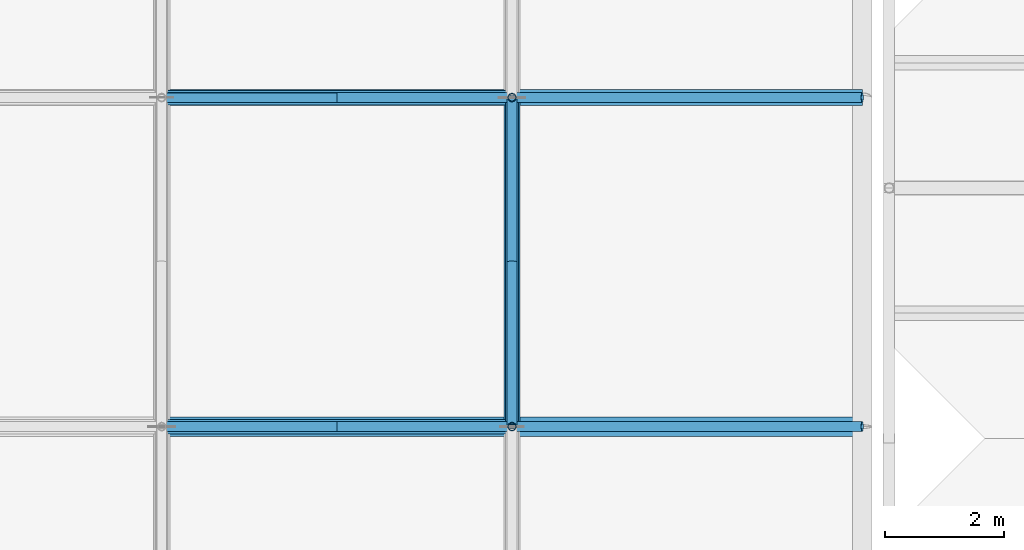
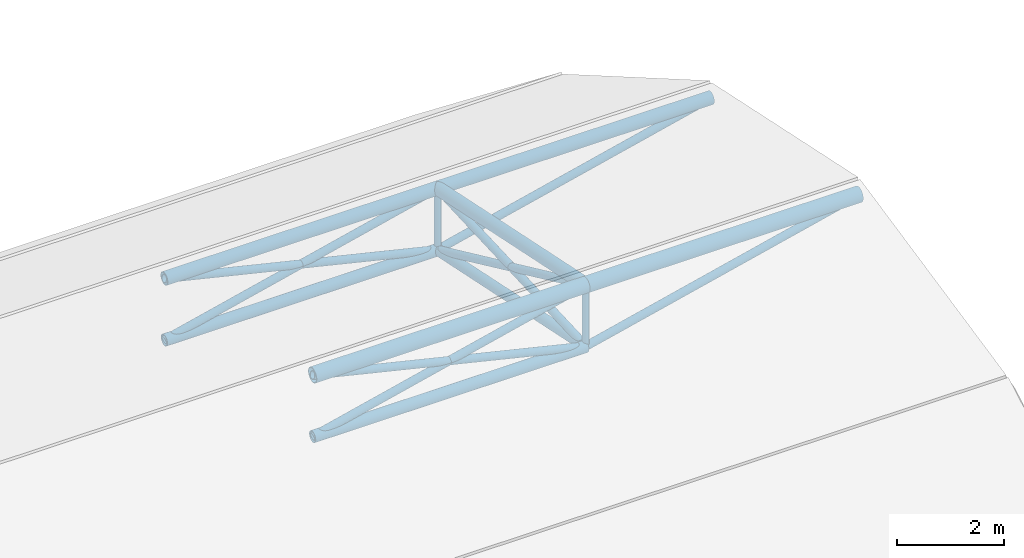
# One storey, part 12 of 82: 18 members.
"""IFC4 building model written with IfcOpenShell, lengths in metres."""

import ifcopenshell
import ifcopenshell.guid

model = None  # the IFC model being written
_history = None  # IfcOwnerHistory: only IFC2X3 demands one
_inside = {}  # id of a spatial element -> (the spatial element, [elements in it])
_under = {}  # id of a project, library or spatial element -> (it, [spatial elements below it])
_declared = {}  # id of a project -> (the project, [libraries it declares])
_typed = {}  # id of a type object -> (the type object, [elements of that type])
_made_of = {}  # id of a material, layer set ... -> (it, [elements and type objects made of it])


def new_model(schema):
    """Start an empty IFC model of exactly this schema.

    Asked for "IFC4X3", IfcOpenShell would pick the latest addendum, in which some entities
    have other attributes; the version numbers below select the first issue.
    IFC2X3 requires an IfcOwnerHistory on every rooted entity: one is made here for all.
    """
    global model, _history
    if schema == "IFC4X3":
        model = ifcopenshell.file(schema_version=(4, 3, 0, 0))
    else:
        model = ifcopenshell.file(schema=schema)
    _inside.clear()
    _under.clear()
    _declared.clear()
    _typed.clear()
    _made_of.clear()
    _history = None
    if model.schema == "IFC2X3":
        org = make("IfcOrganization", Name="unknown")
        user = make(
            "IfcPersonAndOrganization",
            ThePerson=make("IfcPerson", FamilyName="unknown"),
            TheOrganization=org,
        )
        app = make(
            "IfcApplication",
            ApplicationDeveloper=org,
            Version="unknown",
            ApplicationFullName="unknown",
            ApplicationIdentifier="unknown",
        )
        _history = make(
            "IfcOwnerHistory",
            OwningUser=user,
            OwningApplication=app,
            ChangeAction="ADDED",
            CreationDate=0,
        )
    return model


def make(cls, **values):
    """One entity of the class cls with the attributes given. An attribute that is None is left unset."""
    return model.create_entity(
        cls, **{name: value for name, value in values.items() if value is not None}
    )


def rooted(cls, **values):
    """An entity with a GlobalId (a new one), such as an element, a storey or a relation."""
    return make(cls, GlobalId=ifcopenshell.guid.new(), OwnerHistory=_history, **values)


def si_unit(unit_type, name, prefix=None):
    """IfcSIUnit, for example si_unit("LENGTHUNIT", "METRE", prefix="MILLI")."""
    return make("IfcSIUnit", UnitType=unit_type, Prefix=prefix, Name=name)


def assignment(units):
    """IfcUnitAssignment: the units of a project."""
    return None if units is None else make("IfcUnitAssignment", Units=units)


def point(xyz):
    """IfcCartesianPoint."""
    return None if xyz is None else make("IfcCartesianPoint", Coordinates=xyz)


def direction(xyz):
    """IfcDirection."""
    return None if xyz is None else make("IfcDirection", DirectionRatios=xyz)


def frame(location, z_axis=None, x_axis=None):
    """IfcAxis2Placement3D, a coordinate frame: its origin and axes. An axis left out is left unset."""
    return make(
        "IfcAxis2Placement3D",
        Location=point(location),
        Axis=direction(z_axis),
        RefDirection=direction(x_axis),
    )


def frame_2d(location, x_axis=None):
    """IfcAxis2Placement2D, a coordinate frame in the plane: its origin and x axis."""
    return make(
        "IfcAxis2Placement2D", Location=point(location), RefDirection=direction(x_axis)
    )


def origin():
    """The frame at (0, 0, 0) with its axes left unset."""
    return frame((0.0, 0.0, 0.0))


def origin_2d():
    """The frame at (0, 0) in the plane with its x axis left unset."""
    return frame_2d((0.0, 0.0))


def place(relative_to, where):
    """IfcLocalPlacement: puts the frame where relative to a parent placement (None: the world)."""
    return make(
        "IfcLocalPlacement", PlacementRelTo=relative_to, RelativePlacement=where
    )


def context(
    kind, dimensions, precision=None, world=None, true_north=None, identifier=None
):
    """IfcGeometricRepresentationContext, for example the 3D "Model" context."""
    return make(
        "IfcGeometricRepresentationContext",
        ContextIdentifier=identifier,
        ContextType=kind,
        CoordinateSpaceDimension=dimensions,
        Precision=precision,
        WorldCoordinateSystem=world,
        TrueNorth=true_north,
    )


def subcontext(parent, identifier, kind, view, scale=None):
    """IfcGeometricRepresentationSubContext, for example "Body" below "Model"."""
    return make(
        "IfcGeometricRepresentationSubContext",
        ContextIdentifier=identifier,
        ContextType=kind,
        ParentContext=parent,
        TargetScale=scale,
        TargetView=view,
    )


def project(units=None, contexts=None):
    """IfcProject with its units and contexts."""
    return rooted(
        "IfcProject",
        Name="project",
        RepresentationContexts=contexts,
        UnitsInContext=assignment(units),
    )


def spatial(cls, under=None, at=None, **own):
    """A site, building, storey or space (cls), placed at a placement, below another one or the project."""
    s = rooted(cls, ObjectPlacement=at, **own)
    if under is not None:
        _under.setdefault(under.id(), (under, []))[1].append(s)
    return s


def profile(cls, at=None, kind="AREA", **sizes):
    """A parametric profile (cls). Its sizes go by their IFC names, for example OverallWidth=200.0."""
    return make(cls, ProfileType=kind, Position=at, **sizes)


def hollow_circle(**sizes):
    """IfcCircleHollowProfileDef."""
    return profile("IfcCircleHollowProfileDef", **sizes)


def extrude(swept, where, along, depth):
    """IfcExtrudedAreaSolid: the profile swept, set in the frame where, extruded along a direction by depth."""
    return make(
        "IfcExtrudedAreaSolid",
        SweptArea=swept,
        Position=where,
        ExtrudedDirection=direction(along),
        Depth=depth,
    )


def shape(context_of_items, identifier, shape_type, items):
    """IfcShapeRepresentation: the items that make up one representation, for example the "Body"."""
    return make(
        "IfcShapeRepresentation",
        ContextOfItems=context_of_items,
        RepresentationIdentifier=identifier,
        RepresentationType=shape_type,
        Items=items,
    )


def material(Name=None, Category=None):
    """IfcMaterial."""
    return make("IfcMaterial", Name=Name, Category=Category)


def material_profile(
    of_material, cross_section, Name=None, Category=None, Priority=None
):
    """IfcMaterialProfile: a cross section and its material."""
    return make(
        "IfcMaterialProfile",
        Name=Name,
        Material=of_material,
        Profile=cross_section,
        Priority=Priority,
        Category=Category,
    )


def profile_set(profiles, Name=None, composite=None):
    """IfcMaterialProfileSet."""
    return make(
        "IfcMaterialProfileSet",
        Name=Name,
        MaterialProfiles=profiles,
        CompositeProfile=composite,
    )


def made_of(thing, what):
    """Note that an element or type object is made of a material, layer set ...; save() writes the relation."""
    if what is not None:
        _made_of.setdefault(what.id(), (what, []))[1].append(thing)
    return thing


def type_object(cls, material=None, **own):
    """A type object (cls), such as IfcWallType, which elements share."""
    return made_of(rooted(cls, **own), material)


def element(
    cls,
    number,
    at=None,
    inside=None,
    cuts=None,
    type_object=None,
    material=None,
    context=None,
    identifier="Body",
    shape_type=None,
    held_by="IfcProductDefinitionShape",
    body=None,
    shapes=None,
    **own,
):
    """One element of the class cls, such as IfcWall. Its Tag is "e" and its number.

    at: its placement. inside: the storey or other place that contains it. cuts: it is an
    opening in that element (IfcRelVoidsElement). A single representation is given by context,
    identifier, shape_type and body (its items); several are given by shapes. held_by: the class
    of the entity that holds the representations. save() writes the other relations.
    """
    e = rooted(cls, Tag="e%d" % number, ObjectPlacement=at, **own)
    if body is not None:
        shapes = [shape(context, identifier, shape_type, body)]
    if shapes is not None:
        e.Representation = make(held_by, Representations=shapes)
    if inside is not None:
        _inside.setdefault(inside.id(), (inside, []))[1].append(e)
    if cuts is not None:
        rooted(
            "IfcRelVoidsElement", RelatingBuildingElement=cuts, RelatedOpeningElement=e
        )
    if type_object is not None:
        _typed.setdefault(type_object.id(), (type_object, []))[1].append(e)
    return made_of(e, material)


def aggregate(whole, parts):
    """IfcRelAggregates: a whole, such as a stair, and the parts it consists of."""
    return rooted("IfcRelAggregates", RelatingObject=whole, RelatedObjects=parts)


def save(model, path):
    """Write the relations noted so far, then the file.

    IfcRelAggregates (storeys below a building ...), IfcRelContainedInSpatialStructure (elements
    in a storey), IfcRelDefinesByType, IfcRelAssociatesMaterial and IfcRelDeclares: one each for
    every whole, place, type object, material and project.
    """
    for whole, parts in _under.values():
        aggregate(whole, parts)
    for where, things in _inside.values():
        rooted(
            "IfcRelContainedInSpatialStructure",
            RelatedElements=things,
            RelatingStructure=where,
        )
    for kind, things in _typed.values():
        rooted("IfcRelDefinesByType", RelatedObjects=things, RelatingType=kind)
    for what, things in _made_of.values():
        rooted("IfcRelAssociatesMaterial", RelatedObjects=things, RelatingMaterial=what)
    for by, libraries in _declared.values():
        rooted("IfcRelDeclares", RelatingContext=by, RelatedDefinitions=libraries)
    model.write(path)


model = new_model("IFC4")

# Units and contexts
model_context = context("Model", 3, precision=1e-05, world=origin(), true_north=direction((0.0, 1.0)))
body_context = subcontext(model_context, "Body", "Model", "MODEL_VIEW")
ifc_project = project(units=[si_unit("LENGTHUNIT", "METRE"), si_unit("AREAUNIT", "SQUARE_METRE"), si_unit("VOLUMEUNIT", "CUBIC_METRE"), si_unit("PLANEANGLEUNIT", "RADIAN"), si_unit("MASSUNIT", "GRAM", prefix="KILO")], contexts=[model_context])

# Site, building, storey
site_placement = place(None, origin())
site = spatial("IfcSite", under=ifc_project, at=site_placement, CompositionType="ELEMENT")
building_placement = place(site_placement, origin())
building = spatial("IfcBuilding", under=site, at=building_placement, Name="Bramfleet General Hospital", CompositionType="ELEMENT")
storey_placement = place(building_placement, frame((0.0, 0.0, 34.199951171875)))
storey = spatial("IfcBuildingStorey", under=building, at=storey_placement, Name="Roof", CompositionType="ELEMENT", Elevation=34.199951171875)

# Members
ifc_material = material(Name="Steel S355", Category="steel")
ifc_material_profile_1 = material_profile(ifc_material, hollow_circle(Radius=0.122314453125, WallThickness=0.012451171875, at=origin_2d()), Name="CHS 244.5x12.5")
ifc_profile_set_1 = profile_set([ifc_material_profile_1], Name="Steel S355")
member_type_1 = type_object("IfcMemberType", Name="MEM-SF-BC1", PredefinedType="CHORD", material=ifc_profile_set_1)
for number, where, z_axis, x_axis, name in (
    (1, (80.20703125, 33.800048828125, -12.25), (1.0, 0.0, 0.0), (0.0, 1.0, 0.0), "Space Frame Bottom Chord X 5-3"),
    (2, (80.20703125, 39.316650390625, -13.402099609375), (1.0, 0.0, 0.0), (0.0, 1.0, 0.0), "Space Frame Bottom Chord X 5-4"),
):
    element("IfcMember", number, at=place(storey_placement, frame(where, z_axis=z_axis, x_axis=x_axis)), inside=storey, type_object=member_type_1, Name=name, PredefinedType="CHORD", context=body_context, shape_type="SweptSolid", body=[
        extrude(hollow_circle(Radius=0.122314453125, WallThickness=0.012451171875, at=origin_2d()), origin(), (0.0, 0.0, 1.0), 5.87158203125),
    ])
ifc_material_profile_2 = material_profile(ifc_material, hollow_circle(Radius=0.109619140625, WallThickness=0.010009765625, at=origin_2d()), Name="CHS 219.1x10.0")
ifc_profile_set_2 = profile_set([ifc_material_profile_2], Name="Steel S355")
member_type_2 = type_object("IfcMemberType", Name="MEM-SF-BC2", PredefinedType="CHORD", material=ifc_profile_set_2)
member_1_placement = place(storey_placement, frame((86.07861328125, 33.800048828125, -12.25), z_axis=(0.0, 0.978880830839, -0.204431697678), x_axis=(-1.0, 0.0, 0.0)))
element("IfcMember", 3, at=member_1_placement, inside=storey, type_object=member_type_2, Name="Space Frame Bottom Chord Y 6-3", PredefinedType="CHORD", context=body_context, shape_type="SweptSolid", body=[
    extrude(hollow_circle(Radius=0.109619140625, WallThickness=0.010009765625, at=origin_2d()), origin(), (0.0, 0.0, 1.0), 5.6357421875),
])
ifc_material_profile_3 = material_profile(ifc_material, hollow_circle(Radius=0.084228515625, WallThickness=0.008056640625, at=origin_2d()), Name="CHS 168.3x8.0")
ifc_profile_set_3 = profile_set([ifc_material_profile_3], Name="Steel S355")
member_type_3 = type_object("IfcMemberType", Name="MEM-SF-DG1", PredefinedType="STRUT", material=ifc_profile_set_3)
for number, where, z_axis, x_axis, name in (
    (4, (80.20703125, 33.800048828125, -12.25), (0.972725871839, 0.0, 0.2319577079), (0.0, 1.0, 0.0), "Space Frame Web Strut 5-3-E"),
    (5, (80.20703125, 39.316650390625, -13.402099609375), (0.97273499705, 0.0, 0.23191943755), (0.0, 1.0, 0.0), "Space Frame Web Strut 5-4-E"),
    (6, (86.07861328125, 33.800048828125, -12.25), (-0.972725871839, 0.0, 0.2319577079), (0.0, -1.0, 0.0), "Space Frame Web Strut 6-3-W"),
):
    element("IfcMember", number, at=place(storey_placement, frame(where, z_axis=z_axis, x_axis=x_axis)), inside=storey, type_object=member_type_3, Name=name, PredefinedType="STRUT", context=body_context, shape_type="SweptSolid", body=[
        extrude(hollow_circle(Radius=0.084228515625, WallThickness=0.008056640625, at=origin_2d()), origin(), (0.0, 0.0, 1.0), 6.0361328125),
    ])
member_2_placement = place(storey_placement, frame((86.07861328125, 33.800048828125, -12.25), z_axis=(0.97272369554, 0.0, 0.231966834127), x_axis=(0.0, 1.0, 0.0)))
element("IfcMember", 7, at=member_2_placement, inside=storey, type_object=member_type_3, Name="Space Frame Web Strut 6-3-E", PredefinedType="STRUT", context=body_context, shape_type="SweptSolid", body=[
    extrude(hollow_circle(Radius=0.084228515625, WallThickness=0.008056640625, at=origin_2d()), origin(), (0.0, 0.0, 1.0), 6.035888671875),
])
member_3_placement = place(storey_placement, frame((86.07861328125, 33.800048828125, -12.25), z_axis=(0.0, 0.998992645483, 0.044874204955), x_axis=(-1.0, 0.0, 0.0)))
element("IfcMember", 8, at=member_3_placement, inside=storey, type_object=member_type_3, Name="Space Frame Web Strut 6-3-N", PredefinedType="STRUT", context=body_context, shape_type="SweptSolid", body=[
    extrude(hollow_circle(Radius=0.084228515625, WallThickness=0.008056640625, at=origin_2d()), origin(), (0.0, 0.0, 1.0), 5.522216796875),
])
member_4_placement = place(storey_placement, frame((86.07861328125, 39.316650390625, -13.402099609375), z_axis=(-0.97273499705, 0.0, 0.23191943755), x_axis=(0.0, -1.0, 0.0)))
element("IfcMember", 9, at=member_4_placement, inside=storey, type_object=member_type_3, Name="Space Frame Web Strut 6-4-W", PredefinedType="STRUT", context=body_context, shape_type="SweptSolid", body=[
    extrude(hollow_circle(Radius=0.084228515625, WallThickness=0.008056640625, at=origin_2d()), origin(), (0.0, 0.0, 1.0), 6.0361328125),
])
member_5_placement = place(storey_placement, frame((86.07861328125, 39.316650390625, -13.402099609375), z_axis=(0.972732821449, 0.0, 0.231928562443), x_axis=(0.0, 1.0, 0.0)))
element("IfcMember", 10, at=member_5_placement, inside=storey, type_object=member_type_3, Name="Space Frame Web Strut 6-4-E", PredefinedType="STRUT", context=body_context, shape_type="SweptSolid", body=[
    extrude(hollow_circle(Radius=0.084228515625, WallThickness=0.008056640625, at=origin_2d()), origin(), (0.0, 0.0, 1.0), 6.035888671875),
])
member_6_placement = place(storey_placement, frame((86.07861328125, 39.316650390625, -13.402099609375), z_axis=(0.0, -0.907575768803, 0.419888346923), x_axis=(1.0, 0.0, 0.0)))
element("IfcMember", 11, at=member_6_placement, inside=storey, type_object=member_type_3, Name="Space Frame Web Strut 6-4-S", PredefinedType="STRUT", context=body_context, shape_type="SweptSolid", body=[
    extrude(hollow_circle(Radius=0.084228515625, WallThickness=0.008056640625, at=origin_2d()), origin(), (0.0, 0.0, 1.0), 6.078369140625),
])
ifc_material_profile_4 = material_profile(ifc_material, hollow_circle(Radius=0.06982421875, WallThickness=0.008056640625, at=origin_2d()), Name="CHS 139.7x8.0")
ifc_profile_set_4 = profile_set([ifc_material_profile_4], Name="Steel S355")
member_type_4 = type_object("IfcMemberType", Name="MEM-SF-DG2", PredefinedType="STRUT", material=ifc_profile_set_4)
member_7_placement = place(storey_placement, frame((86.07861328125, 33.800048828125, -12.25), z_axis=(0.0, 0.0, 1.0), x_axis=(1.0, 0.0, 0.0)))
element("IfcMember", 12, at=member_7_placement, inside=storey, type_object=member_type_4, Name="Space Frame King Strut 6-3", PredefinedType="STRUT", context=body_context, shape_type="SweptSolid", body=[
    extrude(hollow_circle(Radius=0.06982421875, WallThickness=0.008056640625, at=origin_2d()), origin(), (0.0, 0.0, 1.0), 1.400146484375),
])
member_8_placement = place(storey_placement, frame((86.07861328125, 39.316650390625, -13.402099609375), z_axis=(0.0, 0.0, 1.0), x_axis=(1.0, 0.0, 0.0)))
element("IfcMember", 13, at=member_8_placement, inside=storey, type_object=member_type_4, Name="Space Frame King Strut 6-4", PredefinedType="STRUT", context=body_context, shape_type="SweptSolid", body=[
    extrude(hollow_circle(Radius=0.06982421875, WallThickness=0.008056640625, at=origin_2d()), origin(), (0.0, 0.0, 1.0), 1.39990234375),
])
ifc_material_profile_5 = material_profile(ifc_material, hollow_circle(Radius=0.161865234375, WallThickness=0.012451171875, at=origin_2d()), Name="CHS 323.9x12.5")
ifc_profile_set_5 = profile_set([ifc_material_profile_5], Name="Steel S355")
member_type_5 = type_object("IfcMemberType", Name="MEM-SF-TC1", PredefinedType="CHORD", material=ifc_profile_set_5)
member_9_placement = place(storey_placement, frame((80.20703125, 33.800048828125, -10.849853515625), z_axis=(1.0, 0.0, 0.0), x_axis=(0.0, 1.0, 0.0)))
element("IfcMember", 14, at=member_9_placement, inside=storey, type_object=member_type_5, Name="Space Frame Top Chord X 5-3", PredefinedType="CHORD", context=body_context, shape_type="SweptSolid", body=[
    extrude(hollow_circle(Radius=0.161865234375, WallThickness=0.012451171875, at=origin_2d()), origin(), (0.0, 0.0, 1.0), 5.87158203125),
])
member_10_placement = place(storey_placement, frame((86.07861328125, 33.800048828125, -10.849853515625), z_axis=(1.0, 0.0, 0.0), x_axis=(0.0, 1.0, 0.0)))
element("IfcMember", 15, at=member_10_placement, inside=storey, type_object=member_type_5, Name="Space Frame Top Chord X 6-3", PredefinedType="CHORD", context=body_context, shape_type="SweptSolid", body=[
    extrude(hollow_circle(Radius=0.161865234375, WallThickness=0.012451171875, at=origin_2d()), origin(), (0.0, 0.0, 1.0), 5.871337890625),
])
ifc_material_profile_6 = material_profile(ifc_material, hollow_circle(Radius=0.136474609375, WallThickness=0.012451171875, at=origin_2d()), Name="CHS 273.0x12.5")
ifc_profile_set_6 = profile_set([ifc_material_profile_6], Name="Steel S355")
member_type_6 = type_object("IfcMemberType", Name="MEM-SF-TC2", PredefinedType="CHORD", material=ifc_profile_set_6)
member_11_placement = place(storey_placement, frame((80.20703125, 39.316650390625, -12.002197265625), z_axis=(1.0, 0.0, 0.0), x_axis=(0.0, 1.0, 0.0)))
element("IfcMember", 16, at=member_11_placement, inside=storey, type_object=member_type_6, Name="Space Frame Top Chord X 5-4", PredefinedType="CHORD", context=body_context, shape_type="SweptSolid", body=[
    extrude(hollow_circle(Radius=0.136474609375, WallThickness=0.012451171875, at=origin_2d()), origin(), (0.0, 0.0, 1.0), 5.87158203125),
])
member_12_placement = place(storey_placement, frame((86.07861328125, 39.316650390625, -12.002197265625), z_axis=(1.0, 0.0, 0.0), x_axis=(0.0, 1.0, 0.0)))
element("IfcMember", 17, at=member_12_placement, inside=storey, type_object=member_type_6, Name="Space Frame Top Chord X 6-4", PredefinedType="CHORD", context=body_context, shape_type="SweptSolid", body=[
    extrude(hollow_circle(Radius=0.136474609375, WallThickness=0.012451171875, at=origin_2d()), origin(), (0.0, 0.0, 1.0), 5.871337890625),
])
member_13_placement = place(storey_placement, frame((86.07861328125, 33.800048828125, -10.849853515625), z_axis=(0.0, 0.97887216089, -0.204473207621), x_axis=(-1.0, 0.0, 0.0)))
element("IfcMember", 18, at=member_13_placement, inside=storey, type_object=member_type_6, Name="Space Frame Top Chord Y 6-3", PredefinedType="CHORD", context=body_context, shape_type="SweptSolid", body=[
    extrude(hollow_circle(Radius=0.136474609375, WallThickness=0.012451171875, at=origin_2d()), origin(), (0.0, 0.0, 1.0), 5.6357421875),
])

save(model, "model.ifc")
